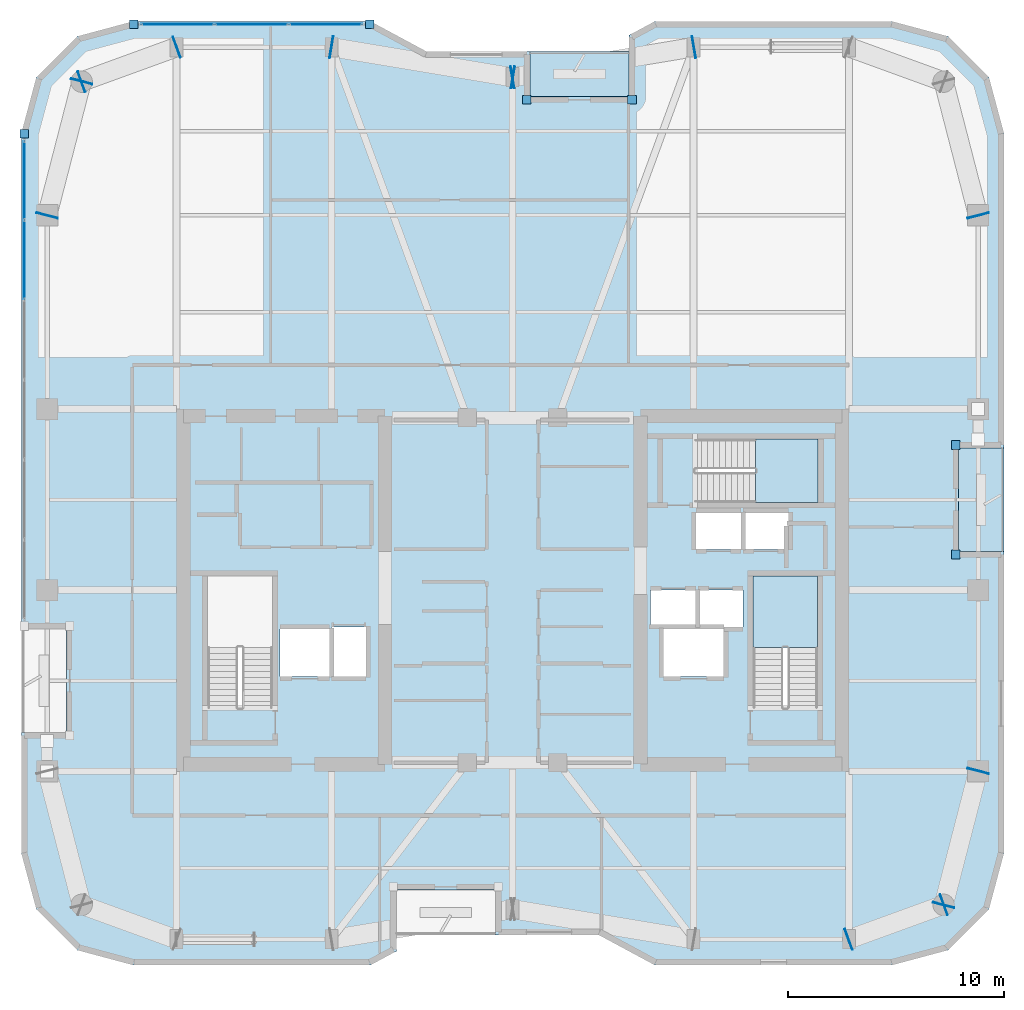
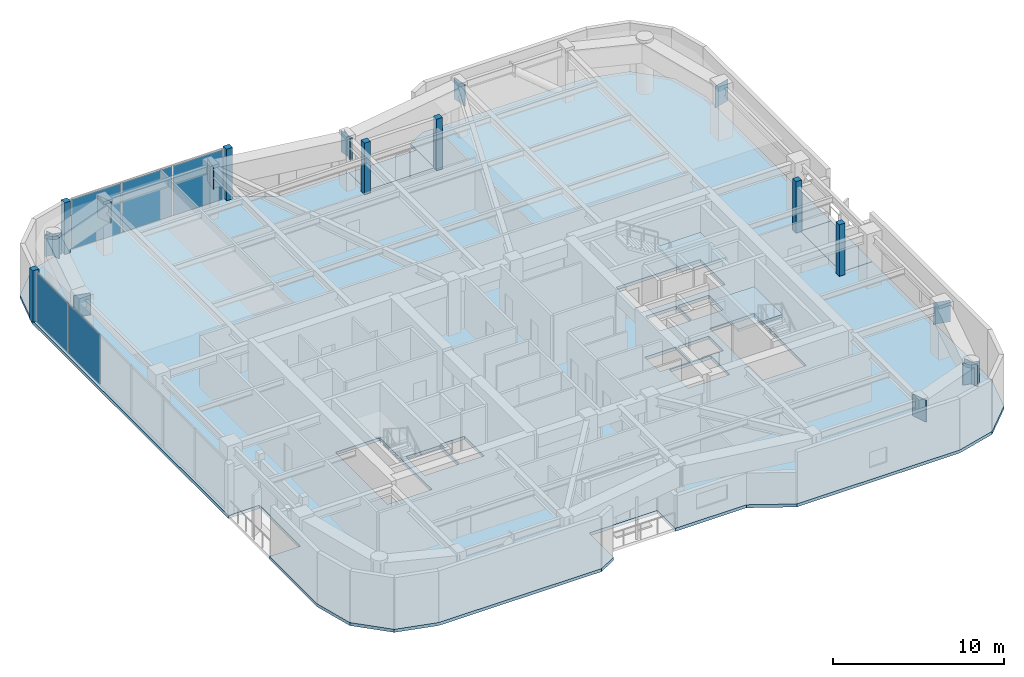
# One storey, part 13 of 21: 25 plates, 5 slabs, 4 elements without a shape of their own.
"""IFC4 building model written with IfcOpenShell, lengths in metres."""

from ifc_helpers import new_model, si_unit, direction, frame, origin, origin_2d, place, context, subcontext, project, spatial, polyline, rectangle, outline, extrude, material, layer, layer_set, type_object, element, aggregate, save


model = new_model("IFC4")

# Units and contexts
model_context = context("Model", 3, precision=1e-05, world=origin(), true_north=direction((0.0, 1.0)))
body_context = subcontext(model_context, "Body", "Model", "MODEL_VIEW")
ifc_project = project(units=[si_unit("LENGTHUNIT", "METRE"), si_unit("AREAUNIT", "SQUARE_METRE"), si_unit("VOLUMEUNIT", "CUBIC_METRE"), si_unit("PLANEANGLEUNIT", "RADIAN"), si_unit("MASSUNIT", "GRAM", prefix="KILO")], contexts=[model_context])

# Site, building, storey
site_placement = place(None, origin())
site = spatial("IfcSite", under=ifc_project, at=site_placement, CompositionType="ELEMENT")
building_placement = place(site_placement, origin())
building = spatial("IfcBuilding", under=site, at=building_placement, Name="Kiyonajd Concourse Tower", CompositionType="ELEMENT")
storey_placement = place(building_placement, frame((0.0, 0.0, 231.0)))
storey = spatial("IfcBuildingStorey", under=building, at=storey_placement, Name="L58", CompositionType="ELEMENT", Elevation=231.0)

# Plates
ifc_material_1 = material(Name="Steel ASTM A572 Grade 50", Category="steel")
ifc_layer_1 = layer(ifc_material_1, 0.031982421875)
ifc_layer_set_1 = layer_set([ifc_layer_1], Name="Steel ASTM A572 Grade 50")
plate_type_1 = type_object("IfcPlateType", Name="PL-CAP-540", PredefinedType="USERDEFINED", material=ifc_layer_set_1)
for number, where, z_axis, x_axis, name in (
    (1, (63.589599609375, 19.796142578125, 2.2099609375), (0.0, 0.0, 1.0), (-0.939811951086, -0.341692107891, 0.0), "L58 Welded Box Girder End Cap"),
    (2, (68.01025390625, 21.40380859375, 2.2099609375), (0.0, 0.0, 1.0), (0.939811951086, 0.341692107891, 0.0), "L58 Welded Box Girder End Cap"),
    (3, (67.997314453125, 21.389404296875, 2.2099609375), (0.0, 0.0, 1.0), (-0.249873048837, -0.968278606324, 0.0), "L58 Welded Box Girder End Cap"),
    (4, (69.602783203125, 27.610595703125, 2.2099609375), (0.0, 0.0, 1.0), (0.249873048837, 0.968278606324, 0.0), "L58 Welded Box Girder End Cap"),
    (5, (69.602783203125, 53.389404296875, 2.2099609375), (0.0, 0.0, 1.0), (0.249873048837, -0.968278606324, 0.0), "L58 Welded Box Girder End Cap"),
    (6, (56.410888671875, 61.201904296875, 2.2099609375), (0.0, 0.0, 1.0), (0.986400586142, 0.164359008451, 0.0), "L58 Welded Box Girder End Cap"),
    (7, (47.989013671875, 59.798095703125, 2.2099609375), (0.0, 0.0, 1.0), (-0.986400586142, -0.164359008451, 0.0), "L58 Welded Box Girder End Cap"),
    (8, (48.010986328125, 59.798095703125, 2.2099609375), (0.0, 0.0, 1.0), (0.986400586142, -0.164359008451, 0.0), "L58 Welded Box Girder End Cap"),
    (9, (39.589111328125, 61.201904296875, 2.2099609375), (0.0, 0.0, 1.0), (-0.986400586142, 0.164359008451, 0.0), "L58 Welded Box Girder End Cap"),
    (10, (32.410400390625, 61.203857421875, 2.2099609375), (0.0, 0.0, 1.0), (0.939811951086, 0.341692107891, 0.0), "L58 Welded Box Girder End Cap"),
    (11, (27.98974609375, 59.59619140625, 2.2099609375), (0.0, 0.0, 1.0), (-0.939811951086, -0.341692107891, 0.0), "L58 Welded Box Girder End Cap"),
    (12, (28.002685546875, 59.610595703125, 2.2099609375), (0.0, 0.0, 1.0), (0.249873048837, 0.968278606324, 0.0), "L58 Welded Box Girder End Cap"),
    (13, (26.397216796875, 53.389404296875, 2.2099609375), (0.0, 0.0, 1.0), (-0.249873048837, -0.968278606324, 0.0), "L58 Welded Box Girder End Cap"),
):
    element("IfcPlate", number, at=place(storey_placement, frame(where, z_axis=z_axis, x_axis=x_axis)), inside=storey, type_object=plate_type_1, Name=name, ObjectType="CAP PLATE", PredefinedType="USERDEFINED", context=body_context, shape_type="SweptSolid", body=[
        extrude(rectangle(XDim=0.035888671875, YDim=1.02001953125, at=origin_2d()), origin(), (0.0, 0.0, 1.0), 1.5400390625),
    ])

# Curtain wall, plates
ifc_material_2 = material(Name="Thermally Broken Anodised Aluminium", Category="aluminium")
ifc_layer_2 = layer(ifc_material_2, 0.179931640625)
ifc_layer_set_2 = layer_set([ifc_layer_2], Name="Thermally Broken Anodised Aluminium")
curtain_wall_type = type_object("IfcCurtainWallType", Name="CW-SYS-04", PredefinedType="NOTDEFINED", material=ifc_layer_set_2)
curtain_wall_1_placement = place(storey_placement, origin())
curtain_wall_1 = element("IfcCurtainWall", 14, at=curtain_wall_1_placement, inside=storey, type_object=curtain_wall_type, Name="L58 Unitised Curtain Wall CW4", PredefinedType="NOTDEFINED")
ifc_material_3 = material(Name="Double Low-E Insulated Glass", Category="glass")
ifc_layer_3 = layer(ifc_material_3, 0.033935546875)
ifc_layer_set_3 = layer_set([ifc_layer_3], Name="Double Low-E Insulated Glass")
plate_type_2 = type_object("IfcPlateType", Name="PL-CW-VIS34", PredefinedType="CURTAIN_PANEL", material=ifc_layer_set_3)
plate_1_placement = place(storey_placement, frame((25.340087890625, 51.326171875, 0.06494140625), z_axis=(0.0, 0.0, 1.0), x_axis=(0.0, 1.0, 0.0)))
plate_1 = element("IfcPlate", 15, at=plate_1_placement, type_object=plate_type_2, Name="CW4 panel 5.1", PredefinedType="CURTAIN_PANEL", context=body_context, shape_type="SweptSolid", body=[
    extrude(rectangle(XDim=3.645263671875, YDim=0.033935546875, at=origin_2d()), origin(), (0.0, 0.0, 1.0), 3.550048828125),
])
plate_2_placement = place(storey_placement, frame((25.340087890625, 55.020263671875, 0.06494140625), z_axis=(0.0, 0.0, 1.0), x_axis=(0.0, 1.0, 0.0)))
plate_2 = element("IfcPlate", 16, at=plate_2_placement, type_object=plate_type_2, Name="CW4 panel 6.1", PredefinedType="CURTAIN_PANEL", context=body_context, shape_type="SweptSolid", body=[
    extrude(rectangle(XDim=3.61279296875, YDim=0.033935546875, at=origin_2d()), origin(), (0.0, 0.0, 1.0), 3.550048828125),
])
aggregate(curtain_wall_1, [plate_1, plate_2])

curtain_wall_2_placement = place(storey_placement, origin())
curtain_wall_2 = element("IfcCurtainWall", 17, at=curtain_wall_2_placement, inside=storey, type_object=curtain_wall_type, Name="L58 Unitised Curtain Wall CW4", PredefinedType="NOTDEFINED")
plate_3_placement = place(storey_placement, frame((32.452392578125, 62.260009765625, 0.06494140625), z_axis=(0.0, 0.0, 1.0), x_axis=(1.0, 0.0, 0.0)))
plate_3 = element("IfcPlate", 18, at=plate_3_placement, type_object=plate_type_2, Name="CW4 panel 1.1", PredefinedType="CURTAIN_PANEL", context=body_context, shape_type="SweptSolid", body=[
    extrude(rectangle(XDim=3.35791015625, YDim=0.033935546875, at=origin_2d()), origin(), (0.0, 0.0, 1.0), 3.550048828125),
])
plate_4_placement = place(storey_placement, frame((35.8916015625, 62.260009765625, 0.06494140625), z_axis=(0.0, 0.0, 1.0), x_axis=(1.0, 0.0, 0.0)))
plate_4 = element("IfcPlate", 19, at=plate_4_placement, type_object=plate_type_2, Name="CW4 panel 2.1", PredefinedType="CURTAIN_PANEL", context=body_context, shape_type="SweptSolid", body=[
    extrude(rectangle(XDim=3.390380859375, YDim=0.033935546875, at=origin_2d()), origin(), (0.0, 0.0, 1.0), 3.550048828125),
])
plate_5_placement = place(storey_placement, frame((39.330810546875, 62.260009765625, 0.06494140625), z_axis=(0.0, 0.0, 1.0), x_axis=(1.0, 0.0, 0.0)))
plate_5 = element("IfcPlate", 20, at=plate_5_placement, type_object=plate_type_2, Name="CW4 panel 3.1", PredefinedType="CURTAIN_PANEL", context=body_context, shape_type="SweptSolid", body=[
    extrude(rectangle(XDim=3.35791015625, YDim=0.033935546875, at=origin_2d()), origin(), (0.0, 0.0, 1.0), 3.550048828125),
])
aggregate(curtain_wall_2, [plate_3, plate_4, plate_5])

# Plates
ifc_layer_4 = layer(ifc_material_2, 0.39990234375)
ifc_layer_set_4 = layer_set([ifc_layer_4], Name="Thermally Broken Anodised Aluminium")
plate_type_3 = type_object("IfcPlateType", Name="PL-JMB-400", PredefinedType="USERDEFINED", material=ifc_layer_set_4)
for number, where, z_axis, x_axis, name in (
    (21, (25.340087890625, 57.181640625, 0.0), (0.0, 0.0, 1.0), (1.0, 0.0, 0.0), "L58 Facade Jamb Closure Plate 04"),
    (22, (30.41845703125, 62.260009765625, 0.0), (0.0, 0.0, 1.0), (1.0, 0.0, 0.0), "L58 Facade Jamb Closure Plate 05"),
    (23, (41.36474609375, 62.260009765625, 0.0), (0.0, 0.0, 1.0), (1.0, 0.0, 0.0), "L58 Facade Jamb Closure Plate 06"),
    (24, (48.659912109375, 58.760009765625, 0.0), (0.0, 0.0, 1.0), (1.0, 0.0, 0.0), "L58 Facade Jamb Closure Plate 07"),
    (25, (53.5400390625, 58.760009765625, 0.0), (0.0, 0.0, 1.0), (1.0, 0.0, 0.0), "L58 Facade Jamb Closure Plate 08"),
    (26, (68.56005859375, 42.739990234375, 0.0), (0.0, 0.0, 1.0), (1.0, 0.0, 0.0), "L58 Facade Jamb Closure Plate 09"),
    (27, (68.56005859375, 37.659912109375, 0.0), (0.0, 0.0, 1.0), (1.0, 0.0, 0.0), "L58 Facade Jamb Closure Plate 10"),
):
    element("IfcPlate", number, at=place(storey_placement, frame(where, z_axis=z_axis, x_axis=x_axis)), inside=storey, type_object=plate_type_3, Name=name, ObjectType="JAMB PLATE", PredefinedType="USERDEFINED", context=body_context, shape_type="SweptSolid", body=[
        extrude(rectangle(XDim=0.39990234375, YDim=0.39990234375, at=origin_2d()), origin(), (0.0, 0.0, 1.0), 3.679931640625),
    ])

# Stair, slab
ifc_material_4 = material(Name="Concrete C40/50", Category="concrete")
stair_type = type_object("IfcStairType", Name="ST-DLG-22R", PredefinedType="HALF_TURN_STAIR", material=ifc_material_4)
stair_1_placement = place(storey_placement, origin())
stair_1 = element("IfcStair", 28, at=stair_1_placement, inside=storey, type_object=stair_type, Name="L58 Protected Exit Stair ST2", PredefinedType="HALF_TURN_STAIR")
ifc_layer_5 = layer(ifc_material_4, 0.199951171875)
ifc_layer_set_5 = layer_set([ifc_layer_5], Name="Concrete C40/50")
slab_type_1 = type_object("IfcSlabType", Name="SL-LND-200", PredefinedType="LANDING", material=ifc_layer_set_5)
slab_1_placement = place(storey_placement, frame((0.0, 0.0, 1.75)))
slab_1 = element("IfcSlab", 29, at=slab_1_placement, type_object=slab_type_1, Name="ST2 landing 1", PredefinedType="LANDING", context=body_context, shape_type="SweptSolid", body=[
    extrude(outline(polyline([(62.14990234375, 33.35009765625), (62.14990234375, 36.64990234375), (59.14990234375, 36.64990234375), (59.14990234375, 33.35009765625), (62.14990234375, 33.35009765625)])), origin(), (0.0, 0.0, 1.0), 0.199951171875),
])
aggregate(stair_1, [slab_1])

stair_2_placement = place(storey_placement, origin())
stair_2 = element("IfcStair", 30, at=stair_2_placement, inside=storey, type_object=stair_type, Name="L58 Protected Exit Stair ST3", PredefinedType="HALF_TURN_STAIR")
slab_2_placement = place(storey_placement, frame((0.0, 0.0, 1.75)))
slab_2 = element("IfcSlab", 31, at=slab_2_placement, type_object=slab_type_1, Name="ST3 landing 1", PredefinedType="LANDING", context=body_context, shape_type="SweptSolid", body=[
    extrude(outline(polyline([(59.280029296875, 40.080078125), (62.179931640625, 40.080078125), (62.179931640625, 43.02001953125), (59.280029296875, 43.02001953125), (59.280029296875, 40.080078125)])), origin(), (0.0, 0.0, 1.0), 0.199951171875),
])
aggregate(stair_2, [slab_2])

# Slabs
ifc_material_5 = material(Name="Precast concrete C50/60", Category="concrete")
ifc_layer_6 = layer(ifc_material_5, 0.199951171875)
ifc_layer_set_6 = layer_set([ifc_layer_6], Name="Precast concrete C50/60")
slab_type_2 = type_object("IfcSlabType", Name="SL-LOG-200", PredefinedType="FLOOR", material=ifc_layer_set_6)
slab_3_placement = place(storey_placement, frame((0.0, 0.0, -0.199951171875)))
element("IfcSlab", 32, at=slab_3_placement, inside=storey, type_object=slab_type_2, Name="L58 Recessed Engawa Loggia Terrace Slab LOG-N", PredefinedType="FLOOR", context=body_context, shape_type="SweptSolid", body=[
    extrude(outline(polyline([(48.800048828125, 58.89990234375), (53.39990234375, 58.89990234375), (53.39990234375, 61.0), (48.800048828125, 61.0), (48.800048828125, 58.89990234375)])), origin(), (0.0, 0.0, 1.0), 0.199951171875),
])
slab_4_placement = place(storey_placement, frame((0.0, 0.0, -0.199951171875)))
element("IfcSlab", 33, at=slab_4_placement, inside=storey, type_object=slab_type_2, Name="L58 Recessed Engawa Loggia Terrace Slab LOG-E", PredefinedType="FLOOR", context=body_context, shape_type="SweptSolid", body=[
    extrude(outline(polyline([(68.699951171875, 37.800048828125), (70.800048828125, 37.800048828125), (70.800048828125, 42.60009765625), (68.699951171875, 42.60009765625), (68.699951171875, 37.800048828125)])), origin(), (0.0, 0.0, 1.0), 0.199951171875),
])
ifc_layer_7 = layer(ifc_material_4, 0.219970703125)
ifc_layer_set_7 = layer_set([ifc_layer_7], Name="Concrete C40/50")
slab_type_3 = type_object("IfcSlabType", Name="SL-TWR-220", PredefinedType="FLOOR", material=ifc_layer_set_7)
slab_5_placement = place(storey_placement, frame((0.0, 0.0, -0.219970703125)))
element("IfcSlab", 34, at=slab_5_placement, inside=storey, type_object=slab_type_3, Name="L58 Tower Conditioned Floor Slab", PredefinedType="FLOOR", context=body_context, shape_type="SweptSolid", body=[
    extrude(outline(polyline([(25.89697265625, 21.199951171875), (25.199951171875, 23.800048828125), (25.199951171875, 29.39990234375), (27.300048828125, 29.39990234375), (27.300048828125, 34.199951171875), (25.199951171875, 34.199951171875), (25.199951171875, 57.199951171875), (25.89697265625, 59.800048828125), (27.800048828125, 61.702880859375), (30.39990234375, 62.39990234375), (41.39990234375, 62.39990234375), (44.0, 61.0), (48.800048828125, 61.0), (48.800048828125, 58.89990234375), (53.39990234375, 58.89990234375), (53.39990234375, 61.75390625), (54.60009765625, 62.39990234375), (65.60009765625, 62.39990234375), (68.199951171875, 61.702880859375), (70.10302734375, 59.800048828125), (70.800048828125, 57.199951171875), (70.800048828125, 42.60009765625), (68.699951171875, 42.60009765625), (68.699951171875, 37.800048828125), (70.800048828125, 37.800048828125), (70.800048828125, 23.800048828125), (70.10302734375, 21.199951171875), (68.199951171875, 19.297119140625), (65.60009765625, 18.60009765625), (54.60009765625, 18.60009765625), (52.0, 20.0), (47.199951171875, 20.0), (47.199951171875, 22.10009765625), (42.60009765625, 22.10009765625), (42.60009765625, 19.24609375), (41.39990234375, 18.60009765625), (30.39990234375, 18.60009765625), (27.800048828125, 19.297119140625), (25.89697265625, 21.199951171875)]), holes=[polyline([(39.5, 32.0), (37.199951171875, 32.0), (37.199951171875, 34.199951171875), (39.5, 34.199951171875), (39.5, 32.0)]), polyline([(57.800048828125, 32.0), (55.0, 32.0), (55.0, 34.199951171875), (57.800048828125, 34.199951171875), (57.800048828125, 32.0)]), polyline([(41.199951171875, 32.0), (39.60009765625, 32.0), (39.60009765625, 34.300048828125), (41.199951171875, 34.300048828125), (41.199951171875, 32.0)]), polyline([(33.85009765625, 30.550048828125), (33.85009765625, 36.64990234375), (36.85009765625, 36.64990234375), (36.85009765625, 30.550048828125), (33.85009765625, 30.550048828125)]), polyline([(59.14990234375, 30.550048828125), (59.14990234375, 36.64990234375), (62.14990234375, 36.64990234375), (62.14990234375, 30.550048828125), (59.14990234375, 30.550048828125)]), polyline([(56.5, 34.300048828125), (54.39990234375, 34.300048828125), (54.39990234375, 36.0), (56.5, 36.0), (56.5, 34.300048828125)]), polyline([(58.699951171875, 34.300048828125), (56.60009765625, 34.300048828125), (56.60009765625, 36.0), (58.699951171875, 36.0), (58.699951171875, 34.300048828125)]), polyline([(58.60009765625, 37.89990234375), (56.5, 37.89990234375), (56.5, 39.60009765625), (58.60009765625, 39.60009765625), (58.60009765625, 37.89990234375)]), polyline([(58.699951171875, 37.89990234375), (58.699951171875, 39.60009765625), (60.800048828125, 39.60009765625), (60.800048828125, 37.89990234375), (58.699951171875, 37.89990234375)]), polyline([(56.47998046875, 43.02001953125), (62.179931640625, 43.02001953125), (62.179931640625, 40.080078125), (56.47998046875, 40.080078125), (56.47998046875, 43.02001953125)])]), origin(), (0.0, 0.0, 1.0), 0.219970703125),
])

save(model, "model.ifc")
